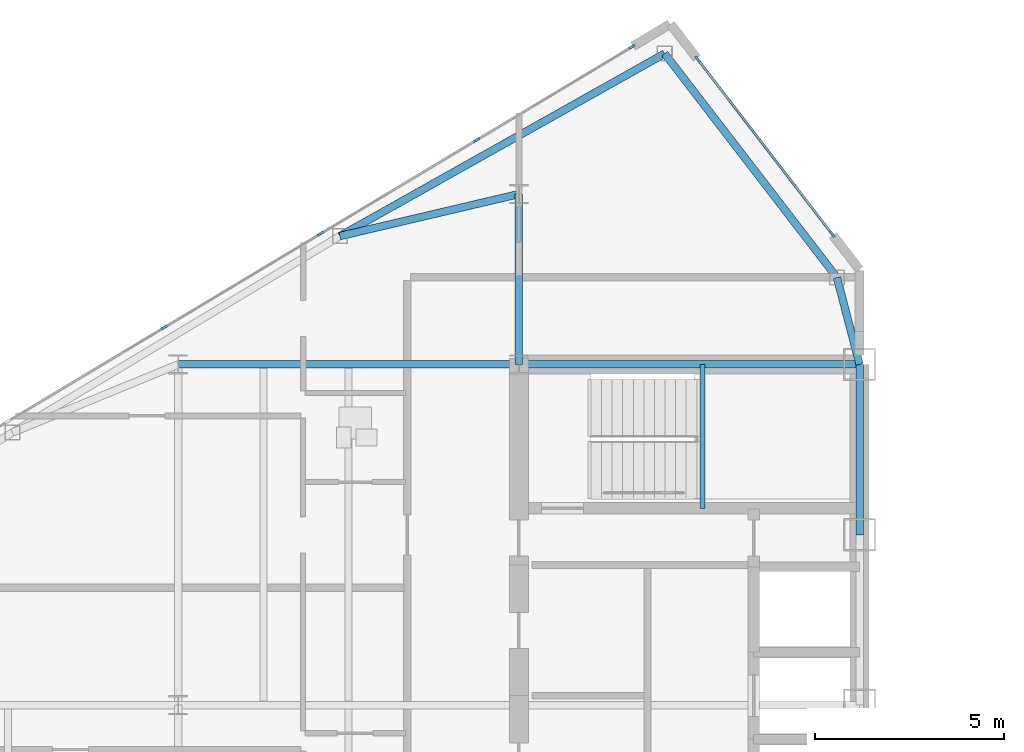
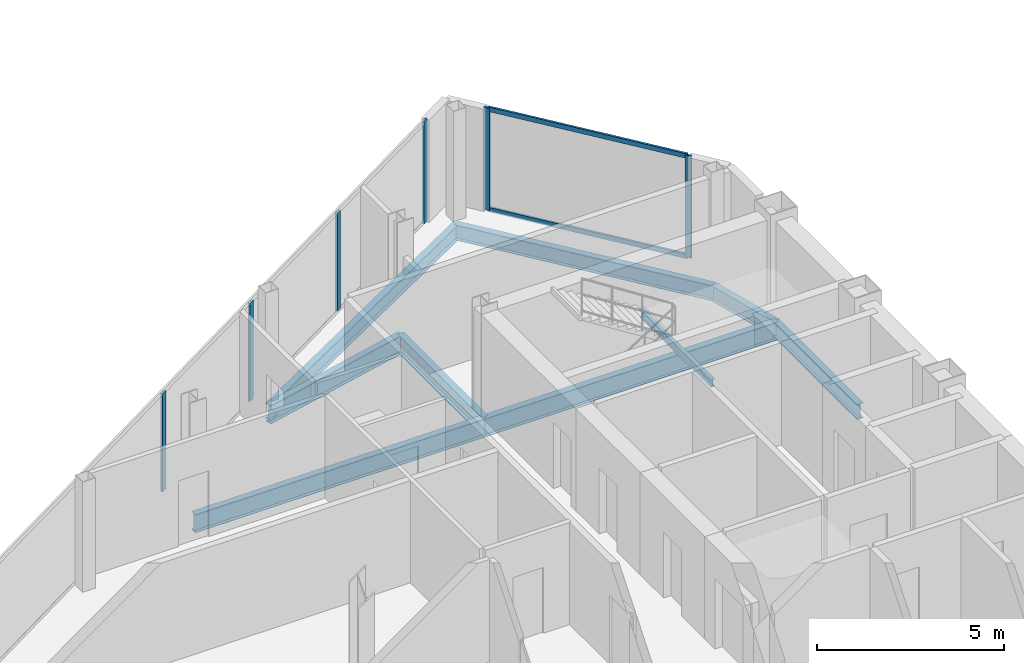
# One storey, part 10 of 26: 9 beams, 8 members, 2 elements without a shape of their own.
"""IFC4 building model written with IfcOpenShell, lengths in metres."""

import ifcopenshell
import ifcopenshell.guid

model = None  # the IFC model being written
_history = None  # IfcOwnerHistory: only IFC2X3 demands one
_inside = {}  # id of a spatial element -> (the spatial element, [elements in it])
_under = {}  # id of a project, library or spatial element -> (it, [spatial elements below it])
_declared = {}  # id of a project -> (the project, [libraries it declares])
_typed = {}  # id of a type object -> (the type object, [elements of that type])
_made_of = {}  # id of a material, layer set ... -> (it, [elements and type objects made of it])


def new_model(schema):
    """Start an empty IFC model of exactly this schema.

    Asked for "IFC4X3", IfcOpenShell would pick the latest addendum, in which some entities
    have other attributes; the version numbers below select the first issue.
    IFC2X3 requires an IfcOwnerHistory on every rooted entity: one is made here for all.
    """
    global model, _history
    if schema == "IFC4X3":
        model = ifcopenshell.file(schema_version=(4, 3, 0, 0))
    else:
        model = ifcopenshell.file(schema=schema)
    _inside.clear()
    _under.clear()
    _declared.clear()
    _typed.clear()
    _made_of.clear()
    _history = None
    if model.schema == "IFC2X3":
        org = make("IfcOrganization", Name="unknown")
        user = make(
            "IfcPersonAndOrganization",
            ThePerson=make("IfcPerson", FamilyName="unknown"),
            TheOrganization=org,
        )
        app = make(
            "IfcApplication",
            ApplicationDeveloper=org,
            Version="unknown",
            ApplicationFullName="unknown",
            ApplicationIdentifier="unknown",
        )
        _history = make(
            "IfcOwnerHistory",
            OwningUser=user,
            OwningApplication=app,
            ChangeAction="ADDED",
            CreationDate=0,
        )
    return model


def make(cls, **values):
    """One entity of the class cls with the attributes given. An attribute that is None is left unset."""
    return model.create_entity(
        cls, **{name: value for name, value in values.items() if value is not None}
    )


def rooted(cls, **values):
    """An entity with a GlobalId (a new one), such as an element, a storey or a relation."""
    return make(cls, GlobalId=ifcopenshell.guid.new(), OwnerHistory=_history, **values)


def si_unit(unit_type, name, prefix=None):
    """IfcSIUnit, for example si_unit("LENGTHUNIT", "METRE", prefix="MILLI")."""
    return make("IfcSIUnit", UnitType=unit_type, Prefix=prefix, Name=name)


def assignment(units):
    """IfcUnitAssignment: the units of a project."""
    return None if units is None else make("IfcUnitAssignment", Units=units)


def point(xyz):
    """IfcCartesianPoint."""
    return None if xyz is None else make("IfcCartesianPoint", Coordinates=xyz)


def direction(xyz):
    """IfcDirection."""
    return None if xyz is None else make("IfcDirection", DirectionRatios=xyz)


def frame(location, z_axis=None, x_axis=None):
    """IfcAxis2Placement3D, a coordinate frame: its origin and axes. An axis left out is left unset."""
    return make(
        "IfcAxis2Placement3D",
        Location=point(location),
        Axis=direction(z_axis),
        RefDirection=direction(x_axis),
    )


def frame_2d(location, x_axis=None):
    """IfcAxis2Placement2D, a coordinate frame in the plane: its origin and x axis."""
    return make(
        "IfcAxis2Placement2D", Location=point(location), RefDirection=direction(x_axis)
    )


def origin():
    """The frame at (0, 0, 0) with its axes left unset."""
    return frame((0.0, 0.0, 0.0))


def origin_2d():
    """The frame at (0, 0) in the plane with its x axis left unset."""
    return frame_2d((0.0, 0.0))


def place(relative_to, where):
    """IfcLocalPlacement: puts the frame where relative to a parent placement (None: the world)."""
    return make(
        "IfcLocalPlacement", PlacementRelTo=relative_to, RelativePlacement=where
    )


def context(
    kind, dimensions, precision=None, world=None, true_north=None, identifier=None
):
    """IfcGeometricRepresentationContext, for example the 3D "Model" context."""
    return make(
        "IfcGeometricRepresentationContext",
        ContextIdentifier=identifier,
        ContextType=kind,
        CoordinateSpaceDimension=dimensions,
        Precision=precision,
        WorldCoordinateSystem=world,
        TrueNorth=true_north,
    )


def subcontext(parent, identifier, kind, view, scale=None):
    """IfcGeometricRepresentationSubContext, for example "Body" below "Model"."""
    return make(
        "IfcGeometricRepresentationSubContext",
        ContextIdentifier=identifier,
        ContextType=kind,
        ParentContext=parent,
        TargetScale=scale,
        TargetView=view,
    )


def project(units=None, contexts=None):
    """IfcProject with its units and contexts."""
    return rooted(
        "IfcProject",
        Name="project",
        RepresentationContexts=contexts,
        UnitsInContext=assignment(units),
    )


def spatial(cls, under=None, at=None, **own):
    """A site, building, storey or space (cls), placed at a placement, below another one or the project."""
    s = rooted(cls, ObjectPlacement=at, **own)
    if under is not None:
        _under.setdefault(under.id(), (under, []))[1].append(s)
    return s


def profile(cls, at=None, kind="AREA", **sizes):
    """A parametric profile (cls). Its sizes go by their IFC names, for example OverallWidth=200.0."""
    return make(cls, ProfileType=kind, Position=at, **sizes)


def rectangle(**sizes):
    """IfcRectangleProfileDef."""
    return profile("IfcRectangleProfileDef", **sizes)


def i_section(**sizes):
    """IfcIShapeProfileDef."""
    return profile("IfcIShapeProfileDef", **sizes)


def extrude(swept, where, along, depth):
    """IfcExtrudedAreaSolid: the profile swept, set in the frame where, extruded along a direction by depth."""
    return make(
        "IfcExtrudedAreaSolid",
        SweptArea=swept,
        Position=where,
        ExtrudedDirection=direction(along),
        Depth=depth,
    )


def shape(context_of_items, identifier, shape_type, items):
    """IfcShapeRepresentation: the items that make up one representation, for example the "Body"."""
    return make(
        "IfcShapeRepresentation",
        ContextOfItems=context_of_items,
        RepresentationIdentifier=identifier,
        RepresentationType=shape_type,
        Items=items,
    )


def source(mapping_origin, context_of_items, identifier, shape_type, items):
    """IfcRepresentationMap: a shape defined once, which mapped items show again and again."""
    return make(
        "IfcRepresentationMap",
        MappingOrigin=mapping_origin,
        MappedRepresentation=shape(context_of_items, identifier, shape_type, items),
    )


def transform(
    local_origin,
    x_axis=None,
    y_axis=None,
    z_axis=None,
    scale=None,
    scale2=None,
    scale3=None,
    uniform=True,
):
    """IfcCartesianTransformationOperator3D, or its non-uniform kind. x_axis, y_axis, z_axis: its Axis1, 2, 3."""
    if uniform:
        return make(
            "IfcCartesianTransformationOperator3D",
            Axis1=direction(x_axis),
            Axis2=direction(y_axis),
            LocalOrigin=point(local_origin),
            Scale=scale,
            Axis3=direction(z_axis),
        )
    return make(
        "IfcCartesianTransformationOperator3DnonUniform",
        Axis1=direction(x_axis),
        Axis2=direction(y_axis),
        LocalOrigin=point(local_origin),
        Scale=scale,
        Axis3=direction(z_axis),
        Scale2=scale2,
        Scale3=scale3,
    )


def mapped(mapping_source, mapping_target):
    """IfcMappedItem: shows the shape of a source again, moved by a transform."""
    return make(
        "IfcMappedItem", MappingSource=mapping_source, MappingTarget=mapping_target
    )


def material(Name=None, Category=None):
    """IfcMaterial."""
    return make("IfcMaterial", Name=Name, Category=Category)


def layer(
    of_material, thickness, ventilated=None, Name=None, Category=None, Priority=None
):
    """IfcMaterialLayer: one layer of a wall or slab, of a material (None: an air gap)."""
    return make(
        "IfcMaterialLayer",
        Material=of_material,
        LayerThickness=thickness,
        IsVentilated=ventilated,
        Name=Name,
        Category=Category,
        Priority=Priority,
    )


def layer_set(layers, Name=None):
    """IfcMaterialLayerSet."""
    return make("IfcMaterialLayerSet", MaterialLayers=layers, LayerSetName=Name)


def material_profile(
    of_material, cross_section, Name=None, Category=None, Priority=None
):
    """IfcMaterialProfile: a cross section and its material."""
    return make(
        "IfcMaterialProfile",
        Name=Name,
        Material=of_material,
        Profile=cross_section,
        Priority=Priority,
        Category=Category,
    )


def profile_set(profiles, Name=None, composite=None):
    """IfcMaterialProfileSet."""
    return make(
        "IfcMaterialProfileSet",
        Name=Name,
        MaterialProfiles=profiles,
        CompositeProfile=composite,
    )


def made_of(thing, what):
    """Note that an element or type object is made of a material, layer set ...; save() writes the relation."""
    if what is not None:
        _made_of.setdefault(what.id(), (what, []))[1].append(thing)
    return thing


def type_object(cls, material=None, **own):
    """A type object (cls), such as IfcWallType, which elements share."""
    return made_of(rooted(cls, **own), material)


def type_shapes(of_type, sources):
    """Give a type object the sources (RepresentationMaps) that its elements show as mapped items."""
    of_type.RepresentationMaps = sources


def element(
    cls,
    number,
    at=None,
    inside=None,
    cuts=None,
    type_object=None,
    material=None,
    context=None,
    identifier="Body",
    shape_type=None,
    held_by="IfcProductDefinitionShape",
    body=None,
    shapes=None,
    **own,
):
    """One element of the class cls, such as IfcWall. Its Tag is "e" and its number.

    at: its placement. inside: the storey or other place that contains it. cuts: it is an
    opening in that element (IfcRelVoidsElement). A single representation is given by context,
    identifier, shape_type and body (its items); several are given by shapes. held_by: the class
    of the entity that holds the representations. save() writes the other relations.
    """
    e = rooted(cls, Tag="e%d" % number, ObjectPlacement=at, **own)
    if body is not None:
        shapes = [shape(context, identifier, shape_type, body)]
    if shapes is not None:
        e.Representation = make(held_by, Representations=shapes)
    if inside is not None:
        _inside.setdefault(inside.id(), (inside, []))[1].append(e)
    if cuts is not None:
        rooted(
            "IfcRelVoidsElement", RelatingBuildingElement=cuts, RelatedOpeningElement=e
        )
    if type_object is not None:
        _typed.setdefault(type_object.id(), (type_object, []))[1].append(e)
    return made_of(e, material)


def aggregate(whole, parts):
    """IfcRelAggregates: a whole, such as a stair, and the parts it consists of."""
    return rooted("IfcRelAggregates", RelatingObject=whole, RelatedObjects=parts)


def save(model, path):
    """Write the relations noted so far, then the file.

    IfcRelAggregates (storeys below a building ...), IfcRelContainedInSpatialStructure (elements
    in a storey), IfcRelDefinesByType, IfcRelAssociatesMaterial and IfcRelDeclares: one each for
    every whole, place, type object, material and project.
    """
    for whole, parts in _under.values():
        aggregate(whole, parts)
    for where, things in _inside.values():
        rooted(
            "IfcRelContainedInSpatialStructure",
            RelatedElements=things,
            RelatingStructure=where,
        )
    for kind, things in _typed.values():
        rooted("IfcRelDefinesByType", RelatedObjects=things, RelatingType=kind)
    for what, things in _made_of.values():
        rooted("IfcRelAssociatesMaterial", RelatedObjects=things, RelatingMaterial=what)
    for by, libraries in _declared.values():
        rooted("IfcRelDeclares", RelatingContext=by, RelatedDefinitions=libraries)
    model.write(path)


model = new_model("IFC4")

# Units and contexts
model_context = context("Model", 3, precision=1e-05, world=origin(), true_north=direction((0.0, 1.0)))
body_context = subcontext(model_context, "Body", "Model", "MODEL_VIEW")
ifc_project = project(units=[si_unit("LENGTHUNIT", "METRE"), si_unit("AREAUNIT", "SQUARE_METRE"), si_unit("VOLUMEUNIT", "CUBIC_METRE"), si_unit("PLANEANGLEUNIT", "RADIAN"), si_unit("MASSUNIT", "GRAM", prefix="KILO")], contexts=[model_context])

# Site, building, storey
site_placement = place(None, origin())
site = spatial("IfcSite", under=ifc_project, at=site_placement, CompositionType="ELEMENT")
building_placement = place(site_placement, origin())
building = spatial("IfcBuilding", under=site, at=building_placement, Name="Seokmaru Belvedere", CompositionType="ELEMENT")
storey_placement = place(building_placement, frame((0.0, 0.0, 221.10009765625)))
storey = spatial("IfcBuildingStorey", under=building, at=storey_placement, Name="L59", CompositionType="ELEMENT", Elevation=221.10009765625)

# Beams
ifc_material_1 = material(Name="Steel SM355 (355 MPa)", Category="steel")
ifc_material_profile_1 = material_profile(ifc_material_1, i_section(OverallWidth=0.199951171875, OverallDepth=0.5, WebThickness=0.010009765625, FlangeThickness=0.01611328125, at=origin_2d()), Name="H-500x200x10x16")
ifc_profile_set_1 = profile_set([ifc_material_profile_1], Name="Steel SM355 (355 MPa)")
beam_type_1 = type_object("IfcBeamType", Name="Perimeter Spandrel Beam H-500", PredefinedType="SPANDREL", material=ifc_profile_set_1)
shared_shape_1 = source(origin(), body_context, "Body", "SweptSolid", [
    extrude(i_section(OverallWidth=0.199951171875, OverallDepth=0.5, WebThickness=0.010009765625, FlangeThickness=0.01611328125, at=origin_2d()), origin(), (0.0, 0.0, 1.0), 4.5),
])
beam_1_placement = place(storey_placement, frame((-27.5, 9.0, -0.47021484375), z_axis=(0.0, 1.0, 0.0), x_axis=(-1.0, 0.0, 0.0)))
element("IfcBeam", 1, at=beam_1_placement, inside=storey, type_object=beam_type_1, Name="L59 W Portal Spine Spandrel 5", PredefinedType="SPANDREL", context=body_context, shape_type="MappedRepresentation", body=[
    mapped(shared_shape_1, transform((0.0, 0.0, 0.0), scale=1.0)),
])
ifc_material_profile_2 = material_profile(ifc_material_1, i_section(OverallWidth=0.199951171875, OverallDepth=0.60009765625, WebThickness=0.010986328125, FlangeThickness=0.01708984375, at=origin_2d()), Name="H-600x200x11x17")
ifc_profile_set_2 = profile_set([ifc_material_profile_2], Name="Steel SM355 (355 MPa)")
beam_type_2 = type_object("IfcBeamType", Name="Primary Floor Girder H-600", PredefinedType="BEAM", material=ifc_profile_set_2)
shared_shape_2 = source(origin(), body_context, "Body", "SweptSolid", [
    extrude(i_section(OverallWidth=0.199951171875, OverallDepth=0.60009765625, WebThickness=0.010986328125, FlangeThickness=0.01708984375, at=origin_2d()), origin(), (0.0, 0.0, 1.0), 9.0),
])
for number, where, z_axis, x_axis, name in (
    (2, (-36.5, 13.5, -0.52001953125), (1.0, 0.0, 0.0), (0.0, 1.0, 0.0), "L59 W Core Tie Girder 4"),
    (3, (-45.5, 13.5, -0.52001953125), (1.0, 0.0, 0.0), (0.0, 1.0, 0.0), "L59 W Wing Primary Girder 4"),
):
    element("IfcBeam", number, at=place(storey_placement, frame(where, z_axis=z_axis, x_axis=x_axis)), inside=storey, type_object=beam_type_2, Name=name, PredefinedType="BEAM", context=body_context, shape_type="MappedRepresentation", body=[
        mapped(shared_shape_2, transform((0.0, 0.0, 0.0), scale=1.0)),
    ])
shared_shape_3 = source(origin(), body_context, "Body", "SweptSolid", [
    extrude(i_section(OverallWidth=0.199951171875, OverallDepth=0.60009765625, WebThickness=0.010986328125, FlangeThickness=0.01708984375, at=origin_2d()), origin(), (0.0, 0.0, 1.0), 4.5),
])
beam_2_placement = place(storey_placement, frame((-36.5, 13.5, -0.52001953125), z_axis=(0.0, 1.0, 0.0), x_axis=(-1.0, 0.0, 0.0)))
element("IfcBeam", 4, at=beam_2_placement, inside=storey, type_object=beam_type_2, Name="L59 W Core Shoulder Girder N", PredefinedType="BEAM", context=body_context, shape_type="MappedRepresentation", body=[
    mapped(shared_shape_3, transform((0.0, 0.0, 0.0), scale=1.0)),
])
shared_shape_4 = source(origin(), body_context, "Body", "SweptSolid", [
    extrude(i_section(OverallWidth=0.199951171875, OverallDepth=0.5, WebThickness=0.010009765625, FlangeThickness=0.01611328125, at=origin_2d()), origin(), (0.0, 0.0, 1.0), 9.842041015625),
])
beam_3_placement = place(storey_placement, frame((-32.649658203125, 21.71044921875, -0.47021484375), z_axis=(-0.871782151818, -0.489893743349, 0.0), x_axis=(0.489893743349, -0.871782151818, 0.0)))
element("IfcBeam", 5, at=beam_3_placement, inside=storey, type_object=beam_type_1, Name="L59 W Faceted Flank Spandrel N-1", PredefinedType="SPANDREL", context=body_context, shape_type="MappedRepresentation", body=[
    mapped(shared_shape_4, transform((0.0, 0.0, 0.0), scale=1.0)),
])
shared_shape_5 = source(origin(), body_context, "Body", "SweptSolid", [
    extrude(i_section(OverallWidth=0.199951171875, OverallDepth=0.5, WebThickness=0.010009765625, FlangeThickness=0.01611328125, at=origin_2d()), origin(), (0.0, 0.0, 1.0), 7.4619140625),
])
beam_4_placement = place(storey_placement, frame((-32.649658203125, 21.71044921875, -0.47021484375), z_axis=(0.609702854945, -0.792630070507, 0.0), x_axis=(0.792630070507, 0.609702854945, 0.0)))
element("IfcBeam", 6, at=beam_4_placement, inside=storey, type_object=beam_type_1, Name="L59 W Shoulder Chamfer Spandrel N", PredefinedType="SPANDREL", context=body_context, shape_type="MappedRepresentation", body=[
    mapped(shared_shape_5, transform((0.0, 0.0, 0.0), scale=1.0)),
])
shared_shape_6 = source(origin(), body_context, "Body", "SweptSolid", [
    extrude(i_section(OverallWidth=0.199951171875, OverallDepth=0.5, WebThickness=0.010009765625, FlangeThickness=0.01611328125, at=origin_2d()), origin(), (0.0, 0.0, 1.0), 2.373046875),
])
type_shapes(beam_type_1, [shared_shape_1, shared_shape_4, shared_shape_5, shared_shape_6])
beam_5_placement = place(storey_placement, frame((-28.10009765625, 15.7958984375, -0.47021484375), z_axis=(0.252882558842, -0.967496982648, 0.0), x_axis=(0.967496982648, 0.252882558842, 0.0)))
element("IfcBeam", 7, at=beam_5_placement, inside=storey, type_object=beam_type_1, Name="L59 W Shoulder Spine Spandrel N", PredefinedType="SPANDREL", context=body_context, shape_type="MappedRepresentation", body=[
    mapped(shared_shape_6, transform((0.0, 0.0, 0.0), scale=1.0)),
])
shared_shape_7 = source(origin(), body_context, "Body", "SweptSolid", [
    extrude(i_section(OverallWidth=0.199951171875, OverallDepth=0.60009765625, WebThickness=0.010986328125, FlangeThickness=0.01708984375, at=origin_2d()), origin(), (0.0, 0.0, 1.0), 4.8583984375),
])
type_shapes(beam_type_2, [shared_shape_2, shared_shape_3, shared_shape_7])
beam_6_placement = place(storey_placement, frame((-41.229736328125, 16.888916015625, -0.52001953125), z_axis=(0.97349948295, 0.228689214211, 0.0), x_axis=(-0.228689214211, 0.97349948295, 0.0)))
element("IfcBeam", 8, at=beam_6_placement, inside=storey, type_object=beam_type_2, Name="L59 W Flank Radial Floor Girder N-1", PredefinedType="BEAM", context=body_context, shape_type="MappedRepresentation", body=[
    mapped(shared_shape_7, transform((0.0, 0.0, 0.0), scale=1.0)),
])

# Curtain wall, members
ifc_material_2 = material(Name="Bronze Triple Insulating Glass", Category="glass")
ifc_layer = layer(ifc_material_2, 0.179931640625)
ifc_layer_set = layer_set([ifc_layer], Name="Bronze Triple Insulating Glass")
curtain_wall_type = type_object("IfcCurtainWallType", Name="High-Rise Wind-Corner Curtain Wall System CW-5", PredefinedType="NOTDEFINED", material=ifc_layer_set)
curtain_wall_1_placement = place(storey_placement, origin())
curtain_wall_1 = element("IfcCurtainWall", 9, at=curtain_wall_1_placement, inside=storey, type_object=curtain_wall_type, Name="L59 Curtain Wall WF3", PredefinedType="NOTDEFINED")
ifc_material_3 = material(Name="Anodised Bronze Aluminium", Category="aluminium")
ifc_material_profile_3 = material_profile(ifc_material_3, rectangle(XDim=0.06494140625, YDim=0.179931640625, at=origin_2d()), Name="CW-M-65x180")
ifc_profile_set_3 = profile_set([ifc_material_profile_3], Name="Anodised Bronze Aluminium")
member_type_1 = type_object("IfcMemberType", Name="Bronze Unitised Mullion 65x180", PredefinedType="MULLION", material=ifc_profile_set_3)
shared_shape_8 = source(origin(), body_context, "Body", "SweptSolid", [
    extrude(rectangle(XDim=0.06494140625, YDim=0.179931640625, at=origin_2d()), origin(), (0.0, 0.0, 1.0), 3.2099609375),
])
member_1_placement = place(storey_placement, frame((-37.614501953125, 19.43115234375, 0.06494140625), z_axis=(0.0, 0.0, 1.0), x_axis=(0.514494909364, -0.85749343335, 0.0)))
member_1 = element("IfcMember", 10, at=member_1_placement, type_object=member_type_1, Name="CW:L59:WF3 Mullion 2", PredefinedType="MULLION", context=body_context, shape_type="MappedRepresentation", body=[
    mapped(shared_shape_8, transform((0.0, 0.0, 0.0), scale=1.0)),
])
member_2_placement = place(storey_placement, frame((-41.7431640625, 16.9541015625, 0.06494140625), z_axis=(0.0, 0.0, 1.0), x_axis=(0.514494909364, -0.85749343335, 0.0)))
member_2 = element("IfcMember", 11, at=member_2_placement, type_object=member_type_1, Name="CW:L59:WF3 Mullion 3", PredefinedType="MULLION", context=body_context, shape_type="MappedRepresentation", body=[
    mapped(shared_shape_8, transform((0.0, 0.0, 0.0), scale=1.0)),
])
member_3_placement = place(storey_placement, frame((-45.87158203125, 14.47705078125, 0.06494140625), z_axis=(0.0, 0.0, 1.0), x_axis=(0.514494909364, -0.85749343335, 0.0)))
member_3 = element("IfcMember", 12, at=member_3_placement, type_object=member_type_1, Name="CW:L59:WF3 Mullion 4", PredefinedType="MULLION", context=body_context, shape_type="MappedRepresentation", body=[
    mapped(shared_shape_8, transform((0.0, 0.0, 0.0), scale=1.0)),
])

curtain_wall_2_placement = place(storey_placement, origin())
curtain_wall_2 = element("IfcCurtainWall", 13, at=curtain_wall_2_placement, inside=storey, type_object=curtain_wall_type, Name="L59 Curtain Wall WF2", PredefinedType="NOTDEFINED")
ifc_material_profile_4 = material_profile(ifc_material_3, rectangle(XDim=0.06494140625, YDim=0.14990234375, at=origin_2d()), Name="CW-T-65x150")
ifc_profile_set_4 = profile_set([ifc_material_profile_4], Name="Anodised Bronze Aluminium")
member_type_2 = type_object("IfcMemberType", Name="Bronze Unitised Transom 65x150", PredefinedType="USERDEFINED", material=ifc_profile_set_4)
shared_shape_9 = source(origin(), body_context, "Body", "SweptSolid", [
    extrude(rectangle(XDim=0.06494140625, YDim=0.14990234375, at=origin_2d()), origin(), (0.0, 0.0, 1.0), 5.77099609375),
])
type_shapes(member_type_2, [shared_shape_9])
member_4_placement = place(storey_placement, frame((-28.24072265625, 16.962890625, 0.032470703125), z_axis=(-0.60970258286, 0.792630279799, 0.0), x_axis=(-0.792630279799, -0.60970258286, 0.0)))
member_4 = element("IfcMember", 14, at=member_4_placement, type_object=member_type_2, Name="CW:L59:WF2 Continuous Transom 1", ObjectType="TRANSOM", PredefinedType="USERDEFINED", context=body_context, shape_type="MappedRepresentation", body=[
    mapped(shared_shape_9, transform((0.0, 0.0, 0.0), scale=1.0)),
])
member_5_placement = place(storey_placement, frame((-28.24072265625, 16.962890625, 3.307373046875), z_axis=(-0.60970258286, 0.792630279799, 0.0), x_axis=(-0.792630279799, -0.60970258286, 0.0)))
member_5 = element("IfcMember", 15, at=member_5_placement, type_object=member_type_2, Name="CW:L59:WF2 Continuous Transom 2", ObjectType="TRANSOM", PredefinedType="USERDEFINED", context=body_context, shape_type="MappedRepresentation", body=[
    mapped(shared_shape_9, transform((0.0, 0.0, 0.0), scale=1.0)),
])
shared_shape_10 = source(origin(), body_context, "Body", "SweptSolid", [
    extrude(rectangle(XDim=0.06494140625, YDim=0.179931640625, at=origin_2d()), origin(), (0.0, 0.0, 1.0), 3.33984375),
])
type_shapes(member_type_1, [shared_shape_8, shared_shape_10])
member_6_placement = place(storey_placement, frame((-28.220947265625, 16.937255859375, 0.0), z_axis=(0.0, 0.0, 1.0), x_axis=(-0.792631353244, -0.609701187349, 0.0)))
member_6 = element("IfcMember", 16, at=member_6_placement, type_object=member_type_1, Name="CW:L59:WF2 Mullion 1", PredefinedType="MULLION", context=body_context, shape_type="MappedRepresentation", body=[
    mapped(shared_shape_10, transform((0.0, 0.0, 0.0), scale=1.0)),
])
member_7_placement = place(storey_placement, frame((-31.779052734375, 21.562744140625, 0.0), z_axis=(0.0, 0.0, 1.0), x_axis=(-0.792631353244, -0.609701187349, 0.0)))
member_7 = element("IfcMember", 17, at=member_7_placement, type_object=member_type_1, Name="CW:L59:WF2 Mullion 2", PredefinedType="MULLION", context=body_context, shape_type="MappedRepresentation", body=[
    mapped(shared_shape_10, transform((0.0, 0.0, 0.0), scale=1.0)),
])
aggregate(curtain_wall_2, [member_6, member_7, member_4, member_5])

# Member
member_8_placement = place(storey_placement, frame((-33.513916015625, 21.8916015625, 0.0), z_axis=(0.0, 0.0, 1.0), x_axis=(0.514494909364, -0.85749343335, 0.0)))
member_8 = element("IfcMember", 18, at=member_8_placement, type_object=member_type_1, Name="CW:L59:WF3 Mullion 1", PredefinedType="MULLION", context=body_context, shape_type="MappedRepresentation", body=[
    mapped(shared_shape_10, transform((0.0, 0.0, 0.0), scale=1.0)),
])

aggregate(curtain_wall_1, [member_8, member_1, member_2, member_3])

# Beam
ifc_material_profile_5 = material_profile(ifc_material_1, i_section(OverallWidth=0.125, OverallDepth=0.25, WebThickness=0.006103515625, FlangeThickness=0.009033203125, at=origin_2d()), Name="H-250x125x6x9")
ifc_profile_set_5 = profile_set([ifc_material_profile_5], Name="Steel SM355 (355 MPa)")
beam_type_3 = type_object("IfcBeamType", Name="Stair Mid-Landing Support Beam H-250", PredefinedType="JOIST", material=ifc_profile_set_5)
shared_shape_11 = source(origin(), body_context, "Body", "SweptSolid", [
    extrude(i_section(OverallWidth=0.125, OverallDepth=0.25, WebThickness=0.006103515625, FlangeThickness=0.009033203125, at=origin_2d()), origin(), (0.0, 0.0, 1.0), 3.800048828125),
])
type_shapes(beam_type_3, [shared_shape_11])
beam_7_placement = place(storey_placement, frame((-31.64990234375, 9.699951171875, 1.474853515625), z_axis=(0.0, 1.0, 0.0), x_axis=(-1.0, 0.0, 0.0)))
element("IfcBeam", 19, at=beam_7_placement, inside=storey, type_object=beam_type_3, Name="L59 Stair ST-W2 Mid-Landing Support Beam 1", PredefinedType="JOIST", context=body_context, shape_type="MappedRepresentation", body=[
    mapped(shared_shape_11, transform((0.0, 0.0, 0.0), scale=1.0)),
])

save(model, "model.ifc")
